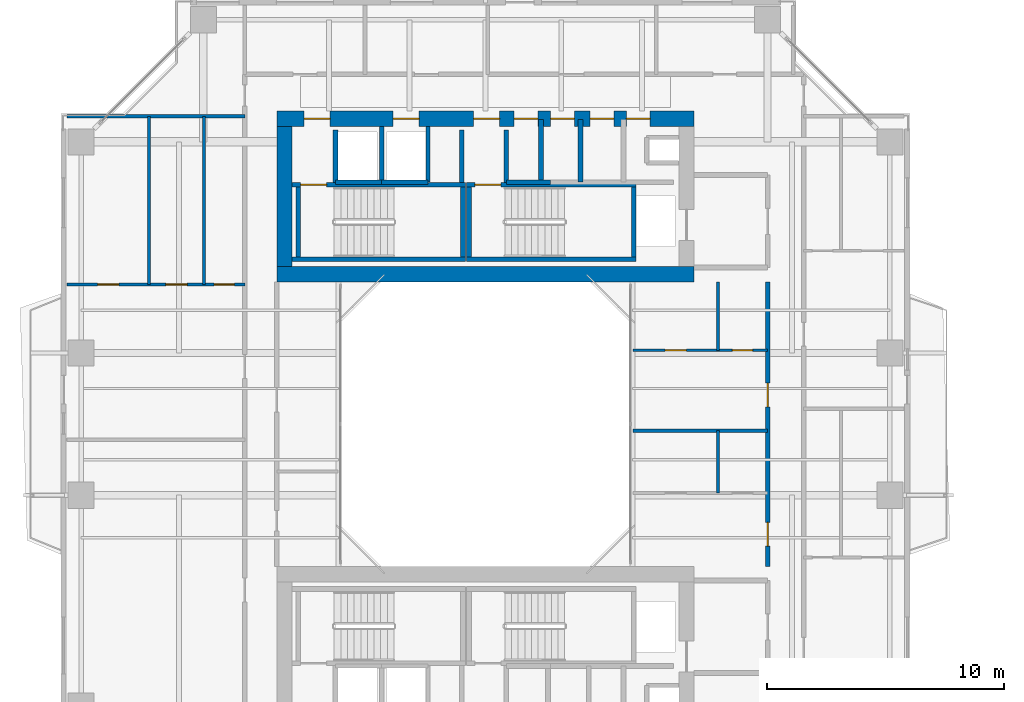
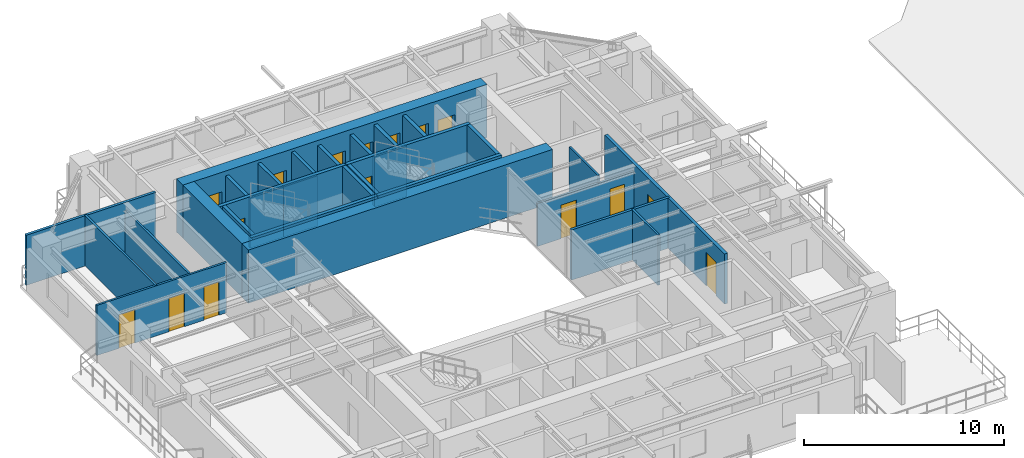
# One storey, part 23 of 28: 30 walls, 16 doors, 16 openings.
"""IFC4 building model written with IfcOpenShell, lengths in metres."""

from ifc_helpers import new_model, si_unit, direction, frame, frame_2d, origin, place, context, subcontext, project, spatial, rectangle, extrude, source, transform, mapped, material, layer, layer_set, type_object, element, fill, save


model = new_model("IFC4")

# Units and contexts
model_context = context("Model", 3, precision=1e-05, world=origin(), true_north=direction((0.0, 1.0)))
body_context = subcontext(model_context, "Body", "Model", "MODEL_VIEW")
ifc_project = project(units=[si_unit("LENGTHUNIT", "METRE"), si_unit("AREAUNIT", "SQUARE_METRE"), si_unit("VOLUMEUNIT", "CUBIC_METRE"), si_unit("PLANEANGLEUNIT", "RADIAN"), si_unit("MASSUNIT", "GRAM", prefix="KILO"), si_unit("THERMODYNAMICTEMPERATUREUNIT", "KELVIN"), si_unit("POWERUNIT", "WATT")], contexts=[model_context])

# Site, building, storey
site_placement = place(None, origin())
site = spatial("IfcSite", under=ifc_project, at=site_placement, CompositionType="ELEMENT")
building_placement = place(site_placement, origin())
building = spatial("IfcBuilding", under=site, at=building_placement, Name="Qiaomeng Ring Towers", CompositionType="ELEMENT")
storey_placement = place(building_placement, frame((0.0, 0.0, 113.25)))
storey = spatial("IfcBuildingStorey", under=building, at=storey_placement, Name="L32", CompositionType="ELEMENT", Elevation=113.25)

# Walls
ifc_material_1 = material(Name="Autoclaved aerated concrete block", Category="concrete")
ifc_layer_1 = layer(ifc_material_1, 0.199951171875, Name="Autoclaved aerated concrete block")
ifc_layer_set_1 = layer_set([ifc_layer_1], Name="Autoclaved aerated concrete block")
wall_type_1 = type_object("IfcWallType", Name="ARC-WL-PW1", PredefinedType="PARTITIONING", material=ifc_layer_set_1)
for number, where, z_axis, x_axis, name in (
    (1, (12.679931640625, 33.18994140625, 0.0), (0.0, 0.0, 1.0), (0.0, 1.0, 0.0), "L32 Interior Wall PW1"),
    (2, (18.0, 33.18994140625, 0.0), (0.0, 0.0, 1.0), (0.0, 1.0, 0.0), "L32 Interior Wall PW1"),
    (3, (19.8798828125, 33.18994140625, 0.0), (0.0, 0.0, 1.0), (0.0, 1.0, 0.0), "L32 Interior Wall PW1"),
):
    element("IfcWall", number, at=place(storey_placement, frame(where, z_axis=z_axis, x_axis=x_axis)), inside=storey, type_object=wall_type_1, Name=name, PredefinedType="PARTITIONING", context=body_context, shape_type="SweptSolid", body=[
        extrude(rectangle(XDim=2.2099609375, YDim=0.199951171875, at=frame_2d((1.10498046875, 0.0))), origin(), (0.0, 0.0, 1.0), 3.070068359375),
    ])
wall_1_placement = place(storey_placement, frame((19.8798828125, 33.199951171875, 0.0), z_axis=(0.0, 0.0, 1.0), x_axis=(1.0, 0.0, 0.0)))
element("IfcWall", 4, at=wall_1_placement, inside=storey, type_object=wall_type_1, Name="L32 Interior Wall PW1", PredefinedType="PARTITIONING", context=body_context, shape_type="SweptSolid", body=[
    extrude(rectangle(XDim=1.8701171875, YDim=0.199951171875, at=frame_2d((0.93505859375, 0.0))), origin(), (0.0, 0.0, 1.0), 3.070068359375),
])
for number, where, z_axis, x_axis, name in (
    (5, (21.340087890625, 33.199951171875, 0.0), (0.0, 0.0, 1.0), (0.0, 1.0, 0.0), "L32 Interior Wall PW1"),
    (6, (23.010009765625, 33.199951171875, 0.0), (0.0, 0.0, 1.0), (0.0, 1.0, 0.0), "L32 Interior Wall PW1"),
):
    element("IfcWall", number, at=place(storey_placement, frame(where, z_axis=z_axis, x_axis=x_axis)), inside=storey, type_object=wall_type_1, Name=name, PredefinedType="PARTITIONING", context=body_context, shape_type="SweptSolid", body=[
        extrude(rectangle(XDim=2.650146484375, YDim=0.199951171875, at=frame_2d((1.3251953125, 0.0))), origin(), (0.0, 0.0, 1.0), 3.070068359375),
    ])

# Wall, openings, doors
ifc_layer_2 = layer(ifc_material_1, 0.179931640625, Name="Autoclaved aerated concrete block")
ifc_layer_set_2 = layer_set([ifc_layer_2], Name="Autoclaved aerated concrete block")
wall_type_2 = type_object("IfcWallType", Name="ARC-WL-PW2", PredefinedType="PARTITIONING", material=ifc_layer_set_2)
wall_2_placement = place(storey_placement, frame((30.89990234375, 17.0, 0.0), z_axis=(0.0, 0.0, 1.0), x_axis=(0.0, 1.0, 0.0)))
wall_2 = element("IfcWall", 7, at=wall_2_placement, inside=storey, type_object=wall_type_2, Name="L32 Interior Wall PW2", PredefinedType="PARTITIONING", context=body_context, shape_type="SweptSolid", body=[
    extrude(rectangle(XDim=12.0, YDim=0.179931640625, at=frame_2d((6.0, 0.0))), origin(), (0.0, 0.0, 1.0), 3.070068359375),
])
opening_1_placement = place(wall_2_placement, frame((0.85498046875, 0.0, 0.0)))
opening_1 = element("IfcOpeningElement", 8, at=opening_1_placement, cuts=wall_2, Name="Opening FD4", PredefinedType="OPENING", context=body_context, shape_type="SweptSolid", body=[
    extrude(rectangle(XDim=1.0, YDim=2.050048828125, at=frame_2d((0.5, 1.02490234375))), frame((0.0, 0.099853515625, 0.0), z_axis=(0.0, -1.0, 0.0), x_axis=(1.0, 0.0, 0.0)), (0.0, 0.0, 1.0), 0.199951171875),
])
opening_2_placement = place(wall_2_placement, frame((6.72509765625, 0.0, 0.0)))
opening_2 = element("IfcOpeningElement", 9, at=opening_2_placement, cuts=wall_2, Name="Opening FD4", PredefinedType="OPENING", context=body_context, shape_type="SweptSolid", body=[
    extrude(rectangle(XDim=1.0, YDim=2.050048828125, at=frame_2d((0.5, 1.02490234375))), frame((0.0, 0.099853515625, 0.0), z_axis=(0.0, -1.0, 0.0), x_axis=(1.0, 0.0, 0.0)), (0.0, 0.0, 1.0), 0.199951171875),
])
ifc_material_2 = material(Name="Engineered fire-rated oak timber", Category="wood")
door_type_1 = type_object("IfcDoorType", Name="ARC-DR-FD4", OperationType="NOTDEFINED", PredefinedType="DOOR", material=ifc_material_2)
shared_shape_1 = source(origin(), body_context, "Body", "SweptSolid", [
    extrude(rectangle(XDim=1.0, YDim=2.050048828125, at=frame_2d((0.5, 1.02490234375))), frame((0.0, 0.02490234375, 0.0), z_axis=(0.0, -1.0, 0.0), x_axis=(1.0, 0.0, 0.0)), (0.0, 0.0, 1.0), 0.050048828125),
])
door_1_placement = place(opening_1_placement, origin())
door_1 = element("IfcDoor", 10, at=door_1_placement, inside=storey, type_object=door_type_1, Name="L32 Door FD4", OperationType="SINGLE_SWING_LEFT", OverallHeight=2.050048828125, OverallWidth=1.0, PredefinedType="DOOR", context=body_context, shape_type="MappedRepresentation", body=[
    mapped(shared_shape_1, transform((0.0, 0.0, 0.0), x_axis=(1.0, 0.0, 0.0), y_axis=(0.0, 1.0, 0.0), z_axis=(0.0, 0.0, 1.0), scale=1.0)),
])
fill(opening_1, door_1)
door_2_placement = place(opening_2_placement, origin())
door_2 = element("IfcDoor", 11, at=door_2_placement, inside=storey, type_object=door_type_1, Name="L32 Door FD4", OperationType="SINGLE_SWING_RIGHT", OverallHeight=2.050048828125, OverallWidth=1.0, PredefinedType="DOOR", context=body_context, shape_type="MappedRepresentation", body=[
    mapped(shared_shape_1, transform((0.0, 0.0, 0.0), x_axis=(1.0, 0.0, 0.0), y_axis=(0.0, 1.0, 0.0), z_axis=(0.0, 0.0, 1.0), scale=1.0)),
])
fill(opening_2, door_2)

# Walls
ifc_material_3 = material(Name="Gypsum fireboard steel-stud partition", Category="steel")
ifc_layer_3 = layer(ifc_material_3, 0.14990234375, Name="Gypsum fireboard steel-stud partition")
ifc_layer_set_3 = layer_set([ifc_layer_3], Name="Gypsum fireboard steel-stud partition")
wall_type_3 = type_object("IfcWallType", Name="ARC-WL-PW3", PredefinedType="PARTITIONING", material=ifc_layer_set_3)
wall_3_placement = place(storey_placement, frame((1.35009765625, 35.97998046875, 0.0), z_axis=(0.0, 0.0, 1.0), x_axis=(1.0, 0.0, 0.0)))
element("IfcWall", 12, at=wall_3_placement, inside=storey, type_object=wall_type_3, Name="L32 Interior Wall PW3", PredefinedType="PARTITIONING", context=body_context, shape_type="SweptSolid", body=[
    extrude(rectangle(XDim=7.5, YDim=0.14990234375, at=frame_2d((3.75, 0.0))), origin(), (0.0, 0.0, 1.0), 3.070068359375),
])
wall_4_placement = place(storey_placement, frame((25.219970703125, 22.719970703125, 0.0), z_axis=(0.0, 0.0, 1.0), x_axis=(1.0, 0.0, 0.0)))
element("IfcWall", 13, at=wall_4_placement, inside=storey, type_object=wall_type_3, Name="L32 Interior Wall PW3", PredefinedType="PARTITIONING", context=body_context, shape_type="SweptSolid", body=[
    extrude(rectangle(XDim=5.679931640625, YDim=0.14990234375, at=frame_2d((2.83984375, 0.0))), origin(), (0.0, 0.0, 1.0), 3.070068359375),
])

# Wall, openings, doors
ifc_material_4 = material(Name="Moisture-resistant gypsum steel-stud partition", Category="steel")
ifc_layer_4 = layer(ifc_material_4, 0.1201171875, Name="Moisture-resistant gypsum steel-stud partition")
ifc_layer_set_4 = layer_set([ifc_layer_4], Name="Moisture-resistant gypsum steel-stud partition")
wall_type_4 = type_object("IfcWallType", Name="ARC-WL-PW4", PredefinedType="PLUMBINGWALL", material=ifc_layer_set_4)
wall_5_placement = place(storey_placement, frame((1.35009765625, 28.889892578125, 0.0), z_axis=(0.0, 0.0, 1.0), x_axis=(1.0, 0.0, 0.0)))
wall_5 = element("IfcWall", 14, at=wall_5_placement, inside=storey, type_object=wall_type_4, Name="L32 Interior Wall PW4", PredefinedType="PLUMBINGWALL", context=body_context, shape_type="SweptSolid", body=[
    extrude(rectangle(XDim=7.5, YDim=0.1201171875, at=frame_2d((3.75, 0.0))), origin(), (0.0, 0.0, 1.0), 3.070068359375),
])
opening_3_placement = place(wall_5_placement, frame((1.2900390625, 0.0, 0.0)))
opening_3 = element("IfcOpeningElement", 15, at=opening_3_placement, cuts=wall_5, Name="Opening ID1", PredefinedType="OPENING", context=body_context, shape_type="SweptSolid", body=[
    extrude(rectangle(XDim=0.89990234375, YDim=2.050048828125, at=frame_2d((0.449951171875, 1.02490234375))), frame((0.0, 0.070068359375, 0.0), z_axis=(0.0, -1.0, 0.0), x_axis=(1.0, 0.0, 0.0)), (0.0, 0.0, 1.0), 0.14013671875),
])
opening_4_placement = place(wall_5_placement, frame((4.169921875, 0.0, 0.0)))
opening_4 = element("IfcOpeningElement", 16, at=opening_4_placement, cuts=wall_5, Name="Opening ID1", PredefinedType="OPENING", context=body_context, shape_type="SweptSolid", body=[
    extrude(rectangle(XDim=0.89990234375, YDim=2.050048828125, at=frame_2d((0.449951171875, 1.02490234375))), frame((0.0, 0.070068359375, 0.0), z_axis=(0.0, -1.0, 0.0), x_axis=(1.0, 0.0, 0.0)), (0.0, 0.0, 1.0), 0.14013671875),
])
opening_5_placement = place(wall_5_placement, frame((6.205078125, 0.0, 0.0)))
opening_5 = element("IfcOpeningElement", 17, at=opening_5_placement, cuts=wall_5, Name="Opening ID2", PredefinedType="OPENING", context=body_context, shape_type="SweptSolid", body=[
    extrude(rectangle(XDim=0.85009765625, YDim=2.050048828125, at=frame_2d((0.425048828125, 1.02490234375))), frame((0.0, 0.070068359375, 0.0), z_axis=(0.0, -1.0, 0.0), x_axis=(1.0, 0.0, 0.0)), (0.0, 0.0, 1.0), 0.14013671875),
])
ifc_material_5 = material(Name="Moisture-resistant engineered timber", Category="wood")
door_type_2 = type_object("IfcDoorType", Name="ARC-DR-ID2", OperationType="NOTDEFINED", PredefinedType="DOOR", material=ifc_material_5)
shared_shape_2 = source(origin(), body_context, "Body", "SweptSolid", [
    extrude(rectangle(XDim=0.85009765625, YDim=2.050048828125, at=frame_2d((0.425048828125, 1.02490234375))), frame((0.0, 0.02490234375, 0.0), z_axis=(0.0, -1.0, 0.0), x_axis=(1.0, 0.0, 0.0)), (0.0, 0.0, 1.0), 0.050048828125),
])
door_3_placement = place(opening_5_placement, origin())
door_3 = element("IfcDoor", 18, at=door_3_placement, inside=storey, type_object=door_type_2, Name="L32 Door ID2", OperationType="SINGLE_SWING_LEFT", OverallHeight=2.050048828125, OverallWidth=0.85009765625, PredefinedType="DOOR", context=body_context, shape_type="MappedRepresentation", body=[
    mapped(shared_shape_2, transform((0.0, 0.0, 0.0), x_axis=(1.0, 0.0, 0.0), y_axis=(0.0, 1.0, 0.0), z_axis=(0.0, 0.0, 1.0), scale=1.0)),
])
fill(opening_5, door_3)
ifc_material_6 = material(Name="Engineered oak timber", Category="wood")
door_type_3 = type_object("IfcDoorType", Name="ARC-DR-ID1", OperationType="NOTDEFINED", PredefinedType="DOOR", material=ifc_material_6)
shared_shape_3 = source(origin(), body_context, "Body", "SweptSolid", [
    extrude(rectangle(XDim=0.89990234375, YDim=2.050048828125, at=frame_2d((0.449951171875, 1.02490234375))), frame((0.0, 0.02490234375, 0.0), z_axis=(0.0, -1.0, 0.0), x_axis=(1.0, 0.0, 0.0)), (0.0, 0.0, 1.0), 0.050048828125),
])
door_4_placement = place(opening_3_placement, origin())
door_4 = element("IfcDoor", 19, at=door_4_placement, inside=storey, type_object=door_type_3, Name="L32 Door ID1", OperationType="SINGLE_SWING_LEFT", OverallHeight=2.050048828125, OverallWidth=0.89990234375, PredefinedType="DOOR", context=body_context, shape_type="MappedRepresentation", body=[
    mapped(shared_shape_3, transform((0.0, 0.0, 0.0), x_axis=(1.0, 0.0, 0.0), y_axis=(0.0, 1.0, 0.0), z_axis=(0.0, 0.0, 1.0), scale=1.0)),
])
fill(opening_3, door_4)
door_5_placement = place(opening_4_placement, origin())
door_5 = element("IfcDoor", 20, at=door_5_placement, inside=storey, type_object=door_type_3, Name="L32 Door ID1", OperationType="SINGLE_SWING_RIGHT", OverallHeight=2.050048828125, OverallWidth=0.89990234375, PredefinedType="DOOR", context=body_context, shape_type="MappedRepresentation", body=[
    mapped(shared_shape_3, transform((0.0, 0.0, 0.0), x_axis=(1.0, 0.0, 0.0), y_axis=(0.0, 1.0, 0.0), z_axis=(0.0, 0.0, 1.0), scale=1.0)),
])
fill(opening_4, door_5)

# Walls
wall_6_placement = place(storey_placement, frame((4.81005859375, 28.889892578125, 0.0), z_axis=(0.0, 0.0, 1.0), x_axis=(0.0, 1.0, 0.0)))
element("IfcWall", 21, at=wall_6_placement, inside=storey, type_object=wall_type_4, Name="L32 Interior Wall PW4", PredefinedType="PLUMBINGWALL", context=body_context, shape_type="SweptSolid", body=[
    extrude(rectangle(XDim=7.090087890625, YDim=0.1201171875, at=frame_2d((3.544921875, 0.0))), origin(), (0.0, 0.0, 1.0), 3.070068359375),
])
wall_7_placement = place(storey_placement, frame((7.1298828125, 28.889892578125, 0.0), z_axis=(0.0, 0.0, 1.0), x_axis=(0.0, 1.0, 0.0)))
element("IfcWall", 22, at=wall_7_placement, inside=storey, type_object=wall_type_4, Name="L32 Interior Wall PW4", PredefinedType="PLUMBINGWALL", context=body_context, shape_type="SweptSolid", body=[
    extrude(rectangle(XDim=7.090087890625, YDim=0.1201171875, at=frame_2d((3.544921875, 0.0))), origin(), (0.0, 0.0, 1.0), 2.576904296875),
])
wall_8_placement = place(storey_placement, frame((28.800048828125, 20.090087890625, 0.0), z_axis=(0.0, 0.0, 1.0), x_axis=(0.0, 1.0, 0.0)))
element("IfcWall", 23, at=wall_8_placement, inside=storey, type_object=wall_type_4, Name="L32 Interior Wall PW4", PredefinedType="PLUMBINGWALL", context=body_context, shape_type="SweptSolid", body=[
    extrude(rectangle(XDim=2.6298828125, YDim=0.1201171875, at=frame_2d((1.31494140625, 0.0))), origin(), (0.0, 0.0, 1.0), 3.070068359375),
])

# Wall, openings, doors
wall_9_placement = place(storey_placement, frame((25.219970703125, 26.110107421875, 0.0), z_axis=(0.0, 0.0, 1.0), x_axis=(1.0, 0.0, 0.0)))
wall_9 = element("IfcWall", 24, at=wall_9_placement, inside=storey, type_object=wall_type_4, Name="L32 Interior Wall PW4", PredefinedType="PLUMBINGWALL", context=body_context, shape_type="SweptSolid", body=[
    extrude(rectangle(XDim=5.679931640625, YDim=0.1201171875, at=frame_2d((2.83984375, 0.0))), origin(), (0.0, 0.0, 1.0), 2.625),
])
opening_6_placement = place(wall_9_placement, frame((1.35009765625, 0.0, 0.0)))
opening_6 = element("IfcOpeningElement", 25, at=opening_6_placement, cuts=wall_9, Name="Opening ID1", PredefinedType="OPENING", context=body_context, shape_type="SweptSolid", body=[
    extrude(rectangle(XDim=0.89990234375, YDim=2.050048828125, at=frame_2d((0.449951171875, 1.02490234375))), frame((0.0, 0.070068359375, 0.0), z_axis=(0.0, -1.0, 0.0), x_axis=(1.0, 0.0, 0.0)), (0.0, 0.0, 1.0), 0.14013671875),
])
opening_7_placement = place(wall_9_placement, frame((4.195068359375, 0.0, 0.0)))
opening_7 = element("IfcOpeningElement", 26, at=opening_7_placement, cuts=wall_9, Name="Opening ID2", PredefinedType="OPENING", context=body_context, shape_type="SweptSolid", body=[
    extrude(rectangle(XDim=0.85009765625, YDim=2.050048828125, at=frame_2d((0.425048828125, 1.02490234375))), frame((0.0, 0.070068359375, 0.0), z_axis=(0.0, -1.0, 0.0), x_axis=(1.0, 0.0, 0.0)), (0.0, 0.0, 1.0), 0.14013671875),
])
door_6_placement = place(opening_7_placement, origin())
door_6 = element("IfcDoor", 27, at=door_6_placement, inside=storey, type_object=door_type_2, Name="L32 Door ID2", OperationType="SINGLE_SWING_RIGHT", OverallHeight=2.050048828125, OverallWidth=0.85009765625, PredefinedType="DOOR", context=body_context, shape_type="MappedRepresentation", body=[
    mapped(shared_shape_2, transform((0.0, 0.0, 0.0), x_axis=(1.0, 0.0, 0.0), y_axis=(0.0, 1.0, 0.0), z_axis=(0.0, 0.0, 1.0), scale=1.0)),
])
fill(opening_7, door_6)
door_7_placement = place(opening_6_placement, origin())
door_7 = element("IfcDoor", 28, at=door_7_placement, inside=storey, type_object=door_type_3, Name="L32 Door ID1", OperationType="SINGLE_SWING_LEFT", OverallHeight=2.050048828125, OverallWidth=0.89990234375, PredefinedType="DOOR", context=body_context, shape_type="MappedRepresentation", body=[
    mapped(shared_shape_3, transform((0.0, 0.0, 0.0), x_axis=(1.0, 0.0, 0.0), y_axis=(0.0, 1.0, 0.0), z_axis=(0.0, 0.0, 1.0), scale=1.0)),
])
fill(opening_6, door_7)

# Walls
wall_10_placement = place(storey_placement, frame((28.800048828125, 26.110107421875, 0.0), z_axis=(0.0, 0.0, 1.0), x_axis=(0.0, 1.0, 0.0)))
element("IfcWall", 29, at=wall_10_placement, inside=storey, type_object=wall_type_4, Name="L32 Interior Wall PW4", PredefinedType="PLUMBINGWALL", context=body_context, shape_type="SweptSolid", body=[
    extrude(rectangle(XDim=2.889892578125, YDim=0.1201171875, at=frame_2d((1.44482421875, 0.0))), origin(), (0.0, 0.0, 1.0), 3.070068359375),
])
ifc_material_7 = material(Name="Concrete C40", Category="concrete")
ifc_layer_5 = layer(ifc_material_7, 0.199951171875, Name="Concrete C40")
ifc_layer_set_5 = layer_set([ifc_layer_5], Name="Concrete C40")
wall_type_5 = type_object("IfcWallType", Name="STR-WL-STSHAFT", PredefinedType="SHEAR", material=ifc_layer_set_5)
wall_11_placement = place(storey_placement, frame((12.679931640625, 33.199951171875, 0.0), z_axis=(0.0, 0.0, 1.0), x_axis=(1.0, 0.0, 0.0)))
element("IfcWall", 30, at=wall_11_placement, inside=storey, type_object=wall_type_5, Name="L32 Lift LP5 Shaft Back Wall", PredefinedType="SHEAR", context=body_context, shape_type="SweptSolid", body=[
    extrude(rectangle(XDim=1.940185546875, YDim=0.179931640625, at=frame_2d((0.97021484375, 0.0))), origin(), (0.0, 0.0, 1.0), 3.070068359375),
])
wall_12_placement = place(storey_placement, frame((14.6201171875, 33.199951171875, 0.0), z_axis=(0.0, 0.0, 1.0), x_axis=(0.0, 1.0, 0.0)))
element("IfcWall", 31, at=wall_12_placement, inside=storey, type_object=wall_type_5, Name="L32 Lift LP5-LP3 Shaft Divider Wall", PredefinedType="SHEAR", context=body_context, shape_type="SweptSolid", body=[
    extrude(rectangle(XDim=2.35009765625, YDim=0.179931640625, at=frame_2d((1.175048828125, 0.0))), origin(), (0.0, 0.0, 1.0), 3.070068359375),
])
wall_13_placement = place(storey_placement, frame((14.6201171875, 33.199951171875, 0.0), z_axis=(0.0, 0.0, 1.0), x_axis=(1.0, 0.0, 0.0)))
element("IfcWall", 32, at=wall_13_placement, inside=storey, type_object=wall_type_5, Name="L32 Lift LP3 Shaft Back Wall", PredefinedType="SHEAR", context=body_context, shape_type="SweptSolid", body=[
    extrude(rectangle(XDim=1.9599609375, YDim=0.179931640625, at=frame_2d((0.97998046875, 0.0))), origin(), (0.0, 0.0, 1.0), 3.070068359375),
])
wall_14_placement = place(storey_placement, frame((16.580078125, 33.199951171875, 0.0), z_axis=(0.0, 0.0, 1.0), x_axis=(0.0, 1.0, 0.0)))
element("IfcWall", 33, at=wall_14_placement, inside=storey, type_object=wall_type_5, Name="L32 Lift LP3 East Shaft Wall", PredefinedType="SHEAR", context=body_context, shape_type="SweptSolid", body=[
    extrude(rectangle(XDim=2.35009765625, YDim=0.179931640625, at=frame_2d((1.175048828125, 0.0))), origin(), (0.0, 0.0, 1.0), 3.070068359375),
])
wall_15_placement = place(storey_placement, frame((10.85009765625, 29.949951171875, 0.0), z_axis=(0.0, 0.0, 1.0), x_axis=(1.0, 0.0, 0.0)))
element("IfcWall", 34, at=wall_15_placement, inside=storey, type_object=wall_type_5, Name="L32 Stair ST1 South Shaft Shear Wall", PredefinedType="SHEAR", context=body_context, shape_type="SweptSolid", body=[
    extrude(rectangle(XDim=7.2998046875, YDim=0.199951171875, at=frame_2d((3.64990234375, 0.0))), origin(), (0.0, 0.0, 1.0), 3.25),
])

# Wall, opening, door
wall_16_placement = place(storey_placement, frame((10.85009765625, 33.090087890625, 0.0), z_axis=(0.0, 0.0, 1.0), x_axis=(1.0, 0.0, 0.0)))
wall_16 = element("IfcWall", 35, at=wall_16_placement, inside=storey, type_object=wall_type_5, Name="L32 Stair ST1 North Shaft Shear Wall", PredefinedType="SHEAR", context=body_context, shape_type="SweptSolid", body=[
    extrude(rectangle(XDim=7.2998046875, YDim=0.199951171875, at=frame_2d((3.64990234375, 0.0))), origin(), (0.0, 0.0, 1.0), 3.25),
])
opening_8_placement = place(wall_16_placement, frame((0.35009765625, 0.0, 0.0)))
opening_8 = element("IfcOpeningElement", 36, at=opening_8_placement, cuts=wall_16, Name="Opening FD3", PredefinedType="OPENING", context=body_context, shape_type="SweptSolid", body=[
    extrude(rectangle(XDim=1.10009765625, YDim=2.050048828125, at=frame_2d((0.550048828125, 1.02490234375))), frame((0.0, 0.10986328125, 0.0), z_axis=(0.0, -1.0, 0.0), x_axis=(1.0, 0.0, 0.0)), (0.0, 0.0, 1.0), 0.219970703125),
])
ifc_material_8 = material(Name="Galvanised steel", Category="steel")
door_type_4 = type_object("IfcDoorType", Name="ARC-DR-FD3", OperationType="NOTDEFINED", PredefinedType="DOOR", material=ifc_material_8)
shared_shape_4 = source(origin(), body_context, "Body", "SweptSolid", [
    extrude(rectangle(XDim=1.10009765625, YDim=2.050048828125, at=frame_2d((0.550048828125, 1.02490234375))), frame((0.0, 0.02490234375, 0.0), z_axis=(0.0, -1.0, 0.0), x_axis=(1.0, 0.0, 0.0)), (0.0, 0.0, 1.0), 0.050048828125),
])
door_8_placement = place(opening_8_placement, origin())
door_8 = element("IfcDoor", 37, at=door_8_placement, inside=storey, type_object=door_type_4, Name="L32 Stair ST1 Exit Door", OperationType="SINGLE_SWING_LEFT", OverallHeight=2.050048828125, OverallWidth=1.10009765625, PredefinedType="DOOR", context=body_context, shape_type="MappedRepresentation", body=[
    mapped(shared_shape_4, transform((0.0, 0.0, 0.0), x_axis=(1.0, 0.0, 0.0), y_axis=(0.0, 1.0, 0.0), z_axis=(0.0, 0.0, 1.0), scale=1.0)),
])
fill(opening_8, door_8)

# Walls
for number, where, z_axis, x_axis, name in (
    (38, (11.10009765625, 30.050048828125, 0.0), (0.0, 0.0, 1.0), (0.0, 1.0, 0.0), "L32 Stair ST1 West Shaft Shear Wall"),
    (39, (18.050048828125, 30.050048828125, 0.0), (0.0, 0.0, 1.0), (0.0, 1.0, 0.0), "L32 Stair ST1 East Shaft Shear Wall"),
):
    element("IfcWall", number, at=place(storey_placement, frame(where, z_axis=z_axis, x_axis=x_axis)), inside=storey, type_object=wall_type_5, Name=name, PredefinedType="SHEAR", context=body_context, shape_type="SweptSolid", body=[
        extrude(rectangle(XDim=2.93994140625, YDim=0.199951171875, at=frame_2d((1.469970703125, 0.0))), origin(), (0.0, 0.0, 1.0), 3.25),
    ])
wall_17_placement = place(storey_placement, frame((18.199951171875, 29.949951171875, 0.0), z_axis=(0.0, 0.0, 1.0), x_axis=(1.0, 0.0, 0.0)))
element("IfcWall", 40, at=wall_17_placement, inside=storey, type_object=wall_type_5, Name="L32 Stair ST2 South Shaft Shear Wall", PredefinedType="SHEAR", context=body_context, shape_type="SweptSolid", body=[
    extrude(rectangle(XDim=7.150146484375, YDim=0.199951171875, at=frame_2d((3.5751953125, 0.0))), origin(), (0.0, 0.0, 1.0), 3.25),
])

# Wall, opening, door
wall_18_placement = place(storey_placement, frame((18.199951171875, 33.090087890625, 0.0), z_axis=(0.0, 0.0, 1.0), x_axis=(1.0, 0.0, 0.0)))
wall_18 = element("IfcWall", 41, at=wall_18_placement, inside=storey, type_object=wall_type_5, Name="L32 Stair ST2 North Shaft Shear Wall", PredefinedType="SHEAR", context=body_context, shape_type="SweptSolid", body=[
    extrude(rectangle(XDim=7.150146484375, YDim=0.199951171875, at=frame_2d((3.5751953125, 0.0))), origin(), (0.0, 0.0, 1.0), 3.25),
])
opening_9_placement = place(wall_18_placement, frame((0.35009765625, 0.0, 0.0)))
opening_9 = element("IfcOpeningElement", 42, at=opening_9_placement, cuts=wall_18, Name="Opening FD3", PredefinedType="OPENING", context=body_context, shape_type="SweptSolid", body=[
    extrude(rectangle(XDim=1.10009765625, YDim=2.050048828125, at=frame_2d((0.550048828125, 1.02490234375))), frame((0.0, 0.10986328125, 0.0), z_axis=(0.0, -1.0, 0.0), x_axis=(1.0, 0.0, 0.0)), (0.0, 0.0, 1.0), 0.219970703125),
])
door_9_placement = place(opening_9_placement, origin())
door_9 = element("IfcDoor", 43, at=door_9_placement, inside=storey, type_object=door_type_4, Name="L32 Stair ST2 Exit Door", OperationType="SINGLE_SWING_LEFT", OverallHeight=2.050048828125, OverallWidth=1.10009765625, PredefinedType="DOOR", context=body_context, shape_type="MappedRepresentation", body=[
    mapped(shared_shape_4, transform((0.0, 0.0, 0.0), x_axis=(1.0, 0.0, 0.0), y_axis=(0.0, 1.0, 0.0), z_axis=(0.0, 0.0, 1.0), scale=1.0)),
])
fill(opening_9, door_9)

# Walls
for number, where, z_axis, x_axis, name in (
    (44, (18.300048828125, 30.050048828125, 0.0), (0.0, 0.0, 1.0), (0.0, 1.0, 0.0), "L32 Stair ST2 West Shaft Shear Wall"),
    (45, (25.25, 30.050048828125, 0.0), (0.0, 0.0, 1.0), (0.0, 1.0, 0.0), "L32 Stair ST2 East Shaft Shear Wall"),
):
    element("IfcWall", number, at=place(storey_placement, frame(where, z_axis=z_axis, x_axis=x_axis)), inside=storey, type_object=wall_type_5, Name=name, PredefinedType="SHEAR", context=body_context, shape_type="SweptSolid", body=[
        extrude(rectangle(XDim=2.93994140625, YDim=0.199951171875, at=frame_2d((1.469970703125, 0.0))), origin(), (0.0, 0.0, 1.0), 3.25),
    ])
ifc_material_9 = material(Name="Concrete C55", Category="concrete")
ifc_layer_6 = layer(ifc_material_9, 0.64990234375, Name="Concrete C55")
ifc_layer_set_6 = layer_set([ifc_layer_6], Name="Concrete C55")
wall_type_6 = type_object("IfcWallType", Name="STR-WL-SW2A", PredefinedType="SHEAR", material=ifc_layer_set_6)
wall_19_placement = place(storey_placement, frame((10.199951171875, 29.324951171875, 0.0), z_axis=(0.0, 0.0, 1.0), x_axis=(1.0, 0.0, 0.0)))
element("IfcWall", 46, at=wall_19_placement, inside=storey, type_object=wall_type_6, Name="L32 T1NC south core shear wall", PredefinedType="SHEAR", context=body_context, shape_type="SweptSolid", body=[
    extrude(rectangle(XDim=17.60009765625, YDim=0.64990234375, at=frame_2d((8.800048828125, 0.0))), origin(), (0.0, 0.0, 1.0), 3.25),
])

# Wall, openings, doors
wall_20_placement = place(storey_placement, frame((10.199951171875, 35.875, 0.0), z_axis=(0.0, 0.0, 1.0), x_axis=(1.0, 0.0, 0.0)))
wall_20 = element("IfcWall", 47, at=wall_20_placement, inside=storey, type_object=wall_type_6, Name="L32 T1NC north core shear wall", PredefinedType="SHEAR", context=body_context, shape_type="SweptSolid", body=[
    extrude(rectangle(XDim=17.60009765625, YDim=0.64990234375, at=frame_2d((8.800048828125, 0.0))), origin(), (0.0, 0.0, 1.0), 3.25),
])
opening_10_placement = place(wall_20_placement, frame((1.14990234375, 0.0, 0.0)))
opening_10 = element("IfcOpeningElement", 48, at=opening_10_placement, cuts=wall_20, Name="Opening FD3", PredefinedType="OPENING", context=body_context, shape_type="SweptSolid", body=[
    extrude(rectangle(XDim=1.10009765625, YDim=2.050048828125, at=frame_2d((0.550048828125, 1.02490234375))), frame((0.0, 0.3349609375, 0.0), z_axis=(0.0, -1.0, 0.0), x_axis=(1.0, 0.0, 0.0)), (0.0, 0.0, 1.0), 0.669921875),
])
opening_11_placement = place(wall_20_placement, frame((8.300048828125, 0.0, 0.0)))
opening_11 = element("IfcOpeningElement", 49, at=opening_11_placement, cuts=wall_20, Name="Opening FD3", PredefinedType="OPENING", context=body_context, shape_type="SweptSolid", body=[
    extrude(rectangle(XDim=1.10009765625, YDim=2.050048828125, at=frame_2d((0.550048828125, 1.02490234375))), frame((0.0, 0.3349609375, 0.0), z_axis=(0.0, -1.0, 0.0), x_axis=(1.0, 0.0, 0.0)), (0.0, 0.0, 1.0), 0.669921875),
])
opening_12_placement = place(wall_20_placement, frame((4.89990234375, 0.0, 0.0)))
opening_12 = element("IfcOpeningElement", 50, at=opening_12_placement, cuts=wall_20, Name="Opening LD1", PredefinedType="OPENING", context=body_context, shape_type="SweptSolid", body=[
    extrude(rectangle(XDim=1.10009765625, YDim=2.050048828125, at=frame_2d((0.550048828125, 1.02490234375))), frame((0.0, 0.3349609375, 0.0), z_axis=(0.0, -1.0, 0.0), x_axis=(1.0, 0.0, 0.0)), (0.0, 0.0, 1.0), 0.669921875),
])
opening_13_placement = place(wall_20_placement, frame((14.739990234375, 0.0, 0.0)))
opening_13 = element("IfcOpeningElement", 51, at=opening_13_placement, cuts=wall_20, Name="Opening FD1", PredefinedType="OPENING", context=body_context, shape_type="SweptSolid", body=[
    extrude(rectangle(XDim=1.0, YDim=2.050048828125, at=frame_2d((0.5, 1.02490234375))), frame((0.0, 0.3349609375, 0.0), z_axis=(0.0, -1.0, 0.0), x_axis=(1.0, 0.0, 0.0)), (0.0, 0.0, 1.0), 0.669921875),
])
opening_14_placement = place(wall_20_placement, frame((10.0048828125, 0.0, 0.0)))
opening_14 = element("IfcOpeningElement", 52, at=opening_14_placement, cuts=wall_20, Name="Opening FD1", PredefinedType="OPENING", context=body_context, shape_type="SweptSolid", body=[
    extrude(rectangle(XDim=1.0, YDim=2.050048828125, at=frame_2d((0.5, 1.02490234375))), frame((0.0, 0.3349609375, 0.0), z_axis=(0.0, -1.0, 0.0), x_axis=(1.0, 0.0, 0.0)), (0.0, 0.0, 1.0), 0.669921875),
])
opening_15_placement = place(wall_20_placement, frame((11.550048828125, 0.0, 0.0)))
opening_15 = element("IfcOpeningElement", 53, at=opening_15_placement, cuts=wall_20, Name="Opening FD1", PredefinedType="OPENING", context=body_context, shape_type="SweptSolid", body=[
    extrude(rectangle(XDim=1.0, YDim=2.050048828125, at=frame_2d((0.5, 1.02490234375))), frame((0.0, 0.3349609375, 0.0), z_axis=(0.0, -1.0, 0.0), x_axis=(1.0, 0.0, 0.0)), (0.0, 0.0, 1.0), 0.669921875),
])
opening_16_placement = place(wall_20_placement, frame((13.215087890625, 0.0, 0.0)))
opening_16 = element("IfcOpeningElement", 54, at=opening_16_placement, cuts=wall_20, Name="Opening FD1", PredefinedType="OPENING", context=body_context, shape_type="SweptSolid", body=[
    extrude(rectangle(XDim=1.0, YDim=2.050048828125, at=frame_2d((0.5, 1.02490234375))), frame((0.0, 0.3349609375, 0.0), z_axis=(0.0, -1.0, 0.0), x_axis=(1.0, 0.0, 0.0)), (0.0, 0.0, 1.0), 0.669921875),
])
door_10_placement = place(opening_10_placement, origin())
door_10 = element("IfcDoor", 55, at=door_10_placement, inside=storey, type_object=door_type_4, Name="L32 Stair ST1 Lobby Door", OperationType="SINGLE_SWING_RIGHT", OverallHeight=2.050048828125, OverallWidth=1.10009765625, PredefinedType="DOOR", context=body_context, shape_type="MappedRepresentation", body=[
    mapped(shared_shape_4, transform((0.0, 0.0, 0.0), x_axis=(1.0, 0.0, 0.0), y_axis=(0.0, 1.0, 0.0), z_axis=(0.0, 0.0, 1.0), scale=1.0)),
])
fill(opening_10, door_10)
door_11_placement = place(opening_11_placement, origin())
door_11 = element("IfcDoor", 56, at=door_11_placement, inside=storey, type_object=door_type_4, Name="L32 Stair ST2 Lobby Door", OperationType="SINGLE_SWING_RIGHT", OverallHeight=2.050048828125, OverallWidth=1.10009765625, PredefinedType="DOOR", context=body_context, shape_type="MappedRepresentation", body=[
    mapped(shared_shape_4, transform((0.0, 0.0, 0.0), x_axis=(1.0, 0.0, 0.0), y_axis=(0.0, 1.0, 0.0), z_axis=(0.0, 0.0, 1.0), scale=1.0)),
])
fill(opening_11, door_11)
ifc_material_10 = material(Name="Stainless steel 316", Category="steel")
door_type_5 = type_object("IfcDoorType", Name="ARC-DR-LD1", OperationType="NOTDEFINED", PredefinedType="DOOR", material=ifc_material_10)
door_12_placement = place(opening_12_placement, origin())
door_12 = element("IfcDoor", 57, at=door_12_placement, inside=storey, type_object=door_type_5, Name="L32 Mid-Zone Lift LP3 Landing Door", OperationType="SLIDING_TO_LEFT", OverallHeight=2.050048828125, OverallWidth=1.10009765625, PredefinedType="DOOR", context=body_context, shape_type="MappedRepresentation", body=[
    mapped(shared_shape_4, transform((0.0, 0.0, 0.0), x_axis=(1.0, 0.0, 0.0), y_axis=(0.0, 1.0, 0.0), z_axis=(0.0, 0.0, 1.0), scale=1.0)),
])
fill(opening_12, door_12)
door_type_6 = type_object("IfcDoorType", Name="ARC-DR-FD1", OperationType="NOTDEFINED", PredefinedType="DOOR", material=ifc_material_8)
door_13_placement = place(opening_13_placement, origin())
door_13 = element("IfcDoor", 58, at=door_13_placement, inside=storey, type_object=door_type_6, Name="L32 North Electrical Riser Door", OperationType="SINGLE_SWING_RIGHT", OverallHeight=2.050048828125, OverallWidth=1.0, PredefinedType="DOOR", context=body_context, shape_type="MappedRepresentation", body=[
    mapped(shared_shape_1, transform((0.0, 0.0, 0.0), x_axis=(1.0, 0.0, 0.0), y_axis=(0.0, 1.0, 0.0), z_axis=(0.0, 0.0, 1.0), scale=1.0)),
])
fill(opening_13, door_13)
door_14_placement = place(opening_14_placement, origin())
door_14 = element("IfcDoor", 59, at=door_14_placement, inside=storey, type_object=door_type_6, Name="L32 North Cleaners Cupboard Door", OperationType="SINGLE_SWING_RIGHT", OverallHeight=2.050048828125, OverallWidth=1.0, PredefinedType="DOOR", context=body_context, shape_type="MappedRepresentation", body=[
    mapped(shared_shape_1, transform((0.0, 0.0, 0.0), x_axis=(1.0, 0.0, 0.0), y_axis=(0.0, 1.0, 0.0), z_axis=(0.0, 0.0, 1.0), scale=1.0)),
])
fill(opening_14, door_14)
door_15_placement = place(opening_15_placement, origin())
door_15 = element("IfcDoor", 60, at=door_15_placement, inside=storey, type_object=door_type_6, Name="L32 North Staff Tea Pantry Door", OperationType="SINGLE_SWING_LEFT", OverallHeight=2.050048828125, OverallWidth=1.0, PredefinedType="DOOR", context=body_context, shape_type="MappedRepresentation", body=[
    mapped(shared_shape_1, transform((0.0, 0.0, 0.0), x_axis=(1.0, 0.0, 0.0), y_axis=(0.0, 1.0, 0.0), z_axis=(0.0, 0.0, 1.0), scale=1.0)),
])
fill(opening_15, door_15)
door_16_placement = place(opening_16_placement, origin())
door_16 = element("IfcDoor", 61, at=door_16_placement, inside=storey, type_object=door_type_6, Name="L32 North Records Study Door", OperationType="SINGLE_SWING_RIGHT", OverallHeight=2.050048828125, OverallWidth=1.0, PredefinedType="DOOR", context=body_context, shape_type="MappedRepresentation", body=[
    mapped(shared_shape_1, transform((0.0, 0.0, 0.0), x_axis=(1.0, 0.0, 0.0), y_axis=(0.0, 1.0, 0.0), z_axis=(0.0, 0.0, 1.0), scale=1.0)),
])
fill(opening_16, door_16)

# Wall
wall_21_placement = place(storey_placement, frame((10.52490234375, 29.64990234375, 0.0), z_axis=(0.0, 0.0, 1.0), x_axis=(0.0, 1.0, 0.0)))
element("IfcWall", 62, at=wall_21_placement, inside=storey, type_object=wall_type_6, Name="L32 T1NC west core shear wall", PredefinedType="SHEAR", context=body_context, shape_type="SweptSolid", body=[
    extrude(rectangle(XDim=5.900146484375, YDim=0.64990234375, at=frame_2d((2.9501953125, 0.0))), origin(), (0.0, 0.0, 1.0), 3.25),
])

save(model, "model.ifc")
